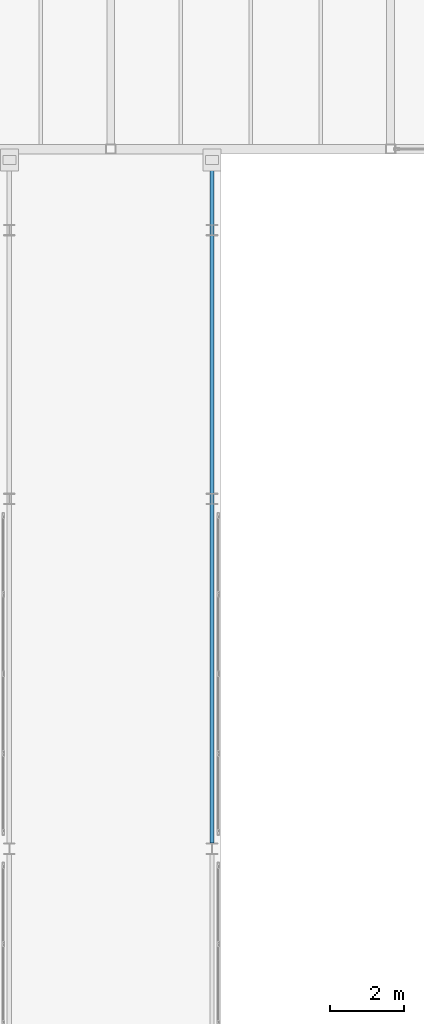
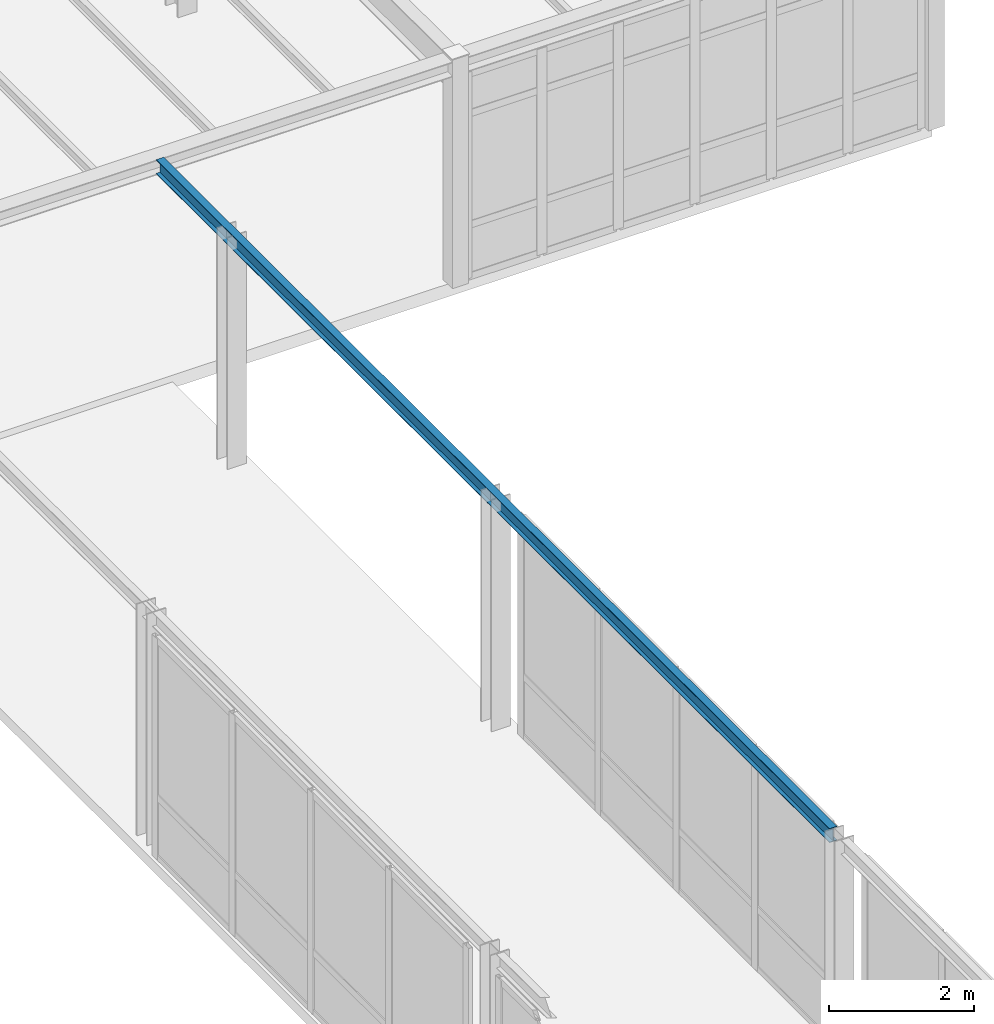
# One storey, part 45 of 189: 1 beam.
"""IFC4 building model written with IfcOpenShell, lengths in metres."""

import ifcopenshell
import ifcopenshell.guid

model = None  # the IFC model being written
_history = None  # IfcOwnerHistory: only IFC2X3 demands one
_inside = {}  # id of a spatial element -> (the spatial element, [elements in it])
_under = {}  # id of a project, library or spatial element -> (it, [spatial elements below it])
_declared = {}  # id of a project -> (the project, [libraries it declares])
_typed = {}  # id of a type object -> (the type object, [elements of that type])
_made_of = {}  # id of a material, layer set ... -> (it, [elements and type objects made of it])


def new_model(schema):
    """Start an empty IFC model of exactly this schema.

    Asked for "IFC4X3", IfcOpenShell would pick the latest addendum, in which some entities
    have other attributes; the version numbers below select the first issue.
    IFC2X3 requires an IfcOwnerHistory on every rooted entity: one is made here for all.
    """
    global model, _history
    if schema == "IFC4X3":
        model = ifcopenshell.file(schema_version=(4, 3, 0, 0))
    else:
        model = ifcopenshell.file(schema=schema)
    _inside.clear()
    _under.clear()
    _declared.clear()
    _typed.clear()
    _made_of.clear()
    _history = None
    if model.schema == "IFC2X3":
        org = make("IfcOrganization", Name="unknown")
        user = make(
            "IfcPersonAndOrganization",
            ThePerson=make("IfcPerson", FamilyName="unknown"),
            TheOrganization=org,
        )
        app = make(
            "IfcApplication",
            ApplicationDeveloper=org,
            Version="unknown",
            ApplicationFullName="unknown",
            ApplicationIdentifier="unknown",
        )
        _history = make(
            "IfcOwnerHistory",
            OwningUser=user,
            OwningApplication=app,
            ChangeAction="ADDED",
            CreationDate=0,
        )
    return model


def make(cls, **values):
    """One entity of the class cls with the attributes given. An attribute that is None is left unset."""
    return model.create_entity(
        cls, **{name: value for name, value in values.items() if value is not None}
    )


def rooted(cls, **values):
    """An entity with a GlobalId (a new one), such as an element, a storey or a relation."""
    return make(cls, GlobalId=ifcopenshell.guid.new(), OwnerHistory=_history, **values)


def si_unit(unit_type, name, prefix=None):
    """IfcSIUnit, for example si_unit("LENGTHUNIT", "METRE", prefix="MILLI")."""
    return make("IfcSIUnit", UnitType=unit_type, Prefix=prefix, Name=name)


def assignment(units):
    """IfcUnitAssignment: the units of a project."""
    return None if units is None else make("IfcUnitAssignment", Units=units)


def point(xyz):
    """IfcCartesianPoint."""
    return None if xyz is None else make("IfcCartesianPoint", Coordinates=xyz)


def direction(xyz):
    """IfcDirection."""
    return None if xyz is None else make("IfcDirection", DirectionRatios=xyz)


def frame(location, z_axis=None, x_axis=None):
    """IfcAxis2Placement3D, a coordinate frame: its origin and axes. An axis left out is left unset."""
    return make(
        "IfcAxis2Placement3D",
        Location=point(location),
        Axis=direction(z_axis),
        RefDirection=direction(x_axis),
    )


def frame_2d(location, x_axis=None):
    """IfcAxis2Placement2D, a coordinate frame in the plane: its origin and x axis."""
    return make(
        "IfcAxis2Placement2D", Location=point(location), RefDirection=direction(x_axis)
    )


def origin():
    """The frame at (0, 0, 0) with its axes left unset."""
    return frame((0.0, 0.0, 0.0))


def origin_2d():
    """The frame at (0, 0) in the plane with its x axis left unset."""
    return frame_2d((0.0, 0.0))


def place(relative_to, where):
    """IfcLocalPlacement: puts the frame where relative to a parent placement (None: the world)."""
    return make(
        "IfcLocalPlacement", PlacementRelTo=relative_to, RelativePlacement=where
    )


def context(
    kind, dimensions, precision=None, world=None, true_north=None, identifier=None
):
    """IfcGeometricRepresentationContext, for example the 3D "Model" context."""
    return make(
        "IfcGeometricRepresentationContext",
        ContextIdentifier=identifier,
        ContextType=kind,
        CoordinateSpaceDimension=dimensions,
        Precision=precision,
        WorldCoordinateSystem=world,
        TrueNorth=true_north,
    )


def subcontext(parent, identifier, kind, view, scale=None):
    """IfcGeometricRepresentationSubContext, for example "Body" below "Model"."""
    return make(
        "IfcGeometricRepresentationSubContext",
        ContextIdentifier=identifier,
        ContextType=kind,
        ParentContext=parent,
        TargetScale=scale,
        TargetView=view,
    )


def project(units=None, contexts=None):
    """IfcProject with its units and contexts."""
    return rooted(
        "IfcProject",
        Name="project",
        RepresentationContexts=contexts,
        UnitsInContext=assignment(units),
    )


def spatial(cls, under=None, at=None, **own):
    """A site, building, storey or space (cls), placed at a placement, below another one or the project."""
    s = rooted(cls, ObjectPlacement=at, **own)
    if under is not None:
        _under.setdefault(under.id(), (under, []))[1].append(s)
    return s


def profile(cls, at=None, kind="AREA", **sizes):
    """A parametric profile (cls). Its sizes go by their IFC names, for example OverallWidth=200.0."""
    return make(cls, ProfileType=kind, Position=at, **sizes)


def i_section(**sizes):
    """IfcIShapeProfileDef."""
    return profile("IfcIShapeProfileDef", **sizes)


def extrude(swept, where, along, depth):
    """IfcExtrudedAreaSolid: the profile swept, set in the frame where, extruded along a direction by depth."""
    return make(
        "IfcExtrudedAreaSolid",
        SweptArea=swept,
        Position=where,
        ExtrudedDirection=direction(along),
        Depth=depth,
    )


def shape(context_of_items, identifier, shape_type, items):
    """IfcShapeRepresentation: the items that make up one representation, for example the "Body"."""
    return make(
        "IfcShapeRepresentation",
        ContextOfItems=context_of_items,
        RepresentationIdentifier=identifier,
        RepresentationType=shape_type,
        Items=items,
    )


def material(Name=None, Category=None):
    """IfcMaterial."""
    return make("IfcMaterial", Name=Name, Category=Category)


def material_profile(
    of_material, cross_section, Name=None, Category=None, Priority=None
):
    """IfcMaterialProfile: a cross section and its material."""
    return make(
        "IfcMaterialProfile",
        Name=Name,
        Material=of_material,
        Profile=cross_section,
        Priority=Priority,
        Category=Category,
    )


def profile_set(profiles, Name=None, composite=None):
    """IfcMaterialProfileSet."""
    return make(
        "IfcMaterialProfileSet",
        Name=Name,
        MaterialProfiles=profiles,
        CompositeProfile=composite,
    )


def made_of(thing, what):
    """Note that an element or type object is made of a material, layer set ...; save() writes the relation."""
    if what is not None:
        _made_of.setdefault(what.id(), (what, []))[1].append(thing)
    return thing


def type_object(cls, material=None, **own):
    """A type object (cls), such as IfcWallType, which elements share."""
    return made_of(rooted(cls, **own), material)


def element(
    cls,
    number,
    at=None,
    inside=None,
    cuts=None,
    type_object=None,
    material=None,
    context=None,
    identifier="Body",
    shape_type=None,
    held_by="IfcProductDefinitionShape",
    body=None,
    shapes=None,
    **own,
):
    """One element of the class cls, such as IfcWall. Its Tag is "e" and its number.

    at: its placement. inside: the storey or other place that contains it. cuts: it is an
    opening in that element (IfcRelVoidsElement). A single representation is given by context,
    identifier, shape_type and body (its items); several are given by shapes. held_by: the class
    of the entity that holds the representations. save() writes the other relations.
    """
    e = rooted(cls, Tag="e%d" % number, ObjectPlacement=at, **own)
    if body is not None:
        shapes = [shape(context, identifier, shape_type, body)]
    if shapes is not None:
        e.Representation = make(held_by, Representations=shapes)
    if inside is not None:
        _inside.setdefault(inside.id(), (inside, []))[1].append(e)
    if cuts is not None:
        rooted(
            "IfcRelVoidsElement", RelatingBuildingElement=cuts, RelatedOpeningElement=e
        )
    if type_object is not None:
        _typed.setdefault(type_object.id(), (type_object, []))[1].append(e)
    return made_of(e, material)


def aggregate(whole, parts):
    """IfcRelAggregates: a whole, such as a stair, and the parts it consists of."""
    return rooted("IfcRelAggregates", RelatingObject=whole, RelatedObjects=parts)


def save(model, path):
    """Write the relations noted so far, then the file.

    IfcRelAggregates (storeys below a building ...), IfcRelContainedInSpatialStructure (elements
    in a storey), IfcRelDefinesByType, IfcRelAssociatesMaterial and IfcRelDeclares: one each for
    every whole, place, type object, material and project.
    """
    for whole, parts in _under.values():
        aggregate(whole, parts)
    for where, things in _inside.values():
        rooted(
            "IfcRelContainedInSpatialStructure",
            RelatedElements=things,
            RelatingStructure=where,
        )
    for kind, things in _typed.values():
        rooted("IfcRelDefinesByType", RelatedObjects=things, RelatingType=kind)
    for what, things in _made_of.values():
        rooted("IfcRelAssociatesMaterial", RelatedObjects=things, RelatingMaterial=what)
    for by, libraries in _declared.values():
        rooted("IfcRelDeclares", RelatingContext=by, RelatedDefinitions=libraries)
    model.write(path)


model = new_model("IFC4")

# Units and contexts
model_context = context("Model", 3, precision=1e-05, world=origin(), true_north=direction((0.0, 1.0)))
body_context = subcontext(model_context, "Body", "Model", "MODEL_VIEW")
ifc_project = project(units=[si_unit("LENGTHUNIT", "METRE"), si_unit("AREAUNIT", "SQUARE_METRE"), si_unit("VOLUMEUNIT", "CUBIC_METRE"), si_unit("PLANEANGLEUNIT", "RADIAN"), si_unit("MASSUNIT", "GRAM", prefix="KILO")], contexts=[model_context])

# Site, building, storey
site_placement = place(None, origin())
site = spatial("IfcSite", under=ifc_project, at=site_placement, CompositionType="ELEMENT")
building_placement = place(site_placement, origin())
building = spatial("IfcBuilding", under=site, at=building_placement, Name="Montecoro Central Library", CompositionType="ELEMENT")
storey_placement = place(building_placement, frame((0.0, 0.0, 9.179931640625)))
storey = spatial("IfcBuildingStorey", under=building, at=storey_placement, Name="L02", CompositionType="ELEMENT", Elevation=9.179931640625)

# Beam
ifc_material = material(Name="Steel S355", Category="steel")
ifc_material_profile = material_profile(ifc_material, i_section(OverallWidth=0.1201171875, OverallDepth=0.239990234375, WebThickness=0.006103515625, FlangeThickness=0.009765625, at=origin_2d()), Name="IPE 240")
ifc_profile_set = profile_set([ifc_material_profile], Name="Steel S355")
beam_type = type_object("IfcBeamType", Name="BM-SP-IPE240", PredefinedType="SPANDREL", material=ifc_profile_set)
beam_placement = place(storey_placement, frame((30.550048828125, 54.56005859375, 3.7880859375), z_axis=(0.0, 1.0, 0.0), x_axis=(-1.0, 0.0, 0.0)))
element("IfcBeam", 1, at=beam_placement, inside=storey, type_object=beam_type, Name="BR-W-ROOF-BM-E2", PredefinedType="SPANDREL", context=body_context, shape_type="SweptSolid", body=[
    extrude(i_section(OverallWidth=0.1201171875, OverallDepth=0.239990234375, WebThickness=0.006103515625, FlangeThickness=0.009765625, at=origin_2d()), origin(), (0.0, 0.0, 1.0), 18.619873046875),
])

save(model, "model.ifc")
